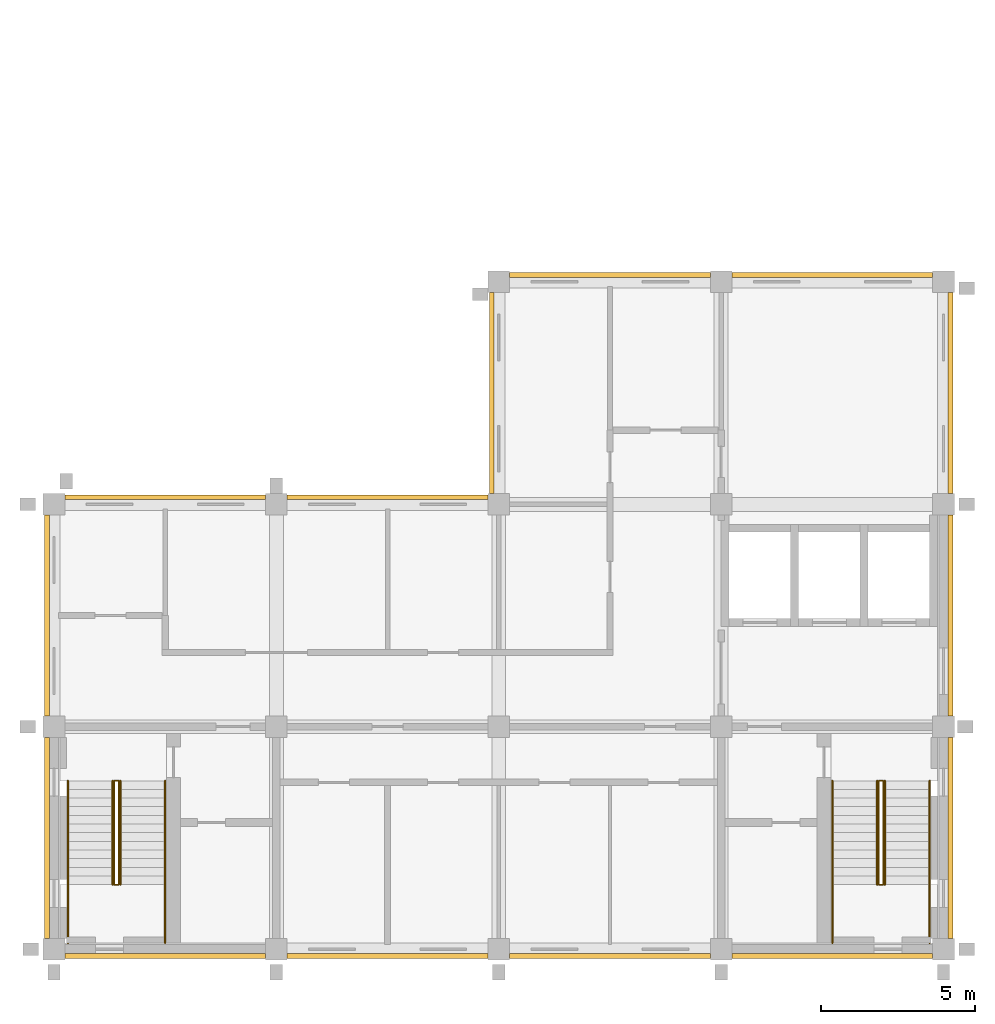
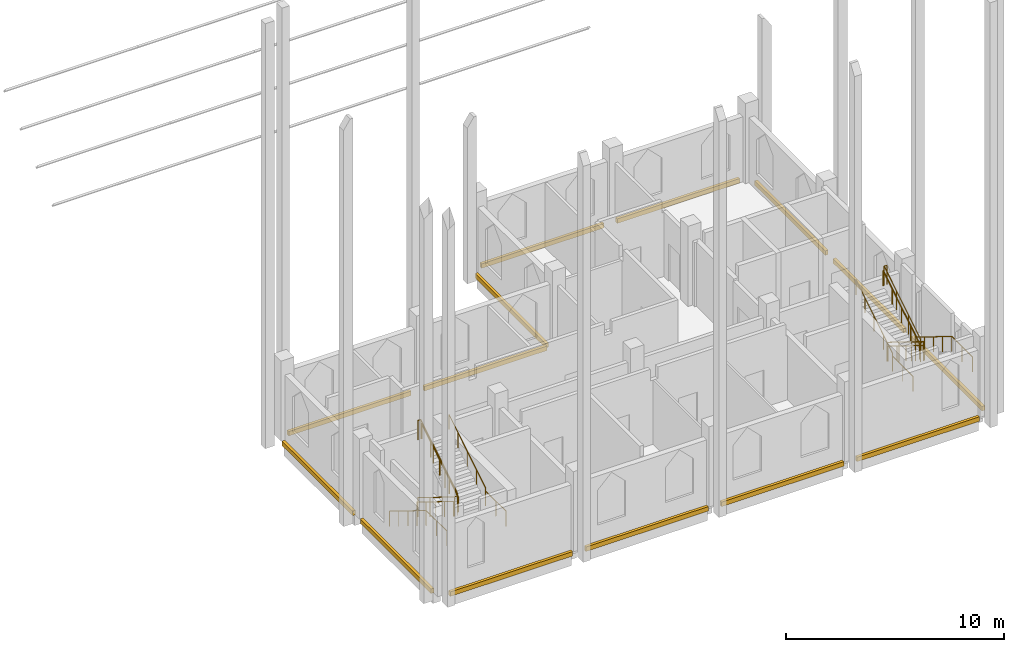
# One storey, part 7 of 7: 14 coverings, 10 railings.
"""IFC4 building model written with IfcOpenShell, lengths in metres."""

from ifc_helpers import new_model, si_unit, direction, frame, origin, origin_2d, place, context, subcontext, project, spatial, rectangle, circle, extrude, material, type_object, element, save


model = new_model("IFC4")

# Units and contexts
model_context = context("Model", 3, precision=1e-05, world=origin(), true_north=direction((0.0, 1.0)))
body_context = subcontext(model_context, "Body", "Model", "MODEL_VIEW")
ifc_project = project(units=[si_unit("LENGTHUNIT", "METRE"), si_unit("AREAUNIT", "SQUARE_METRE"), si_unit("VOLUMEUNIT", "CUBIC_METRE"), si_unit("PLANEANGLEUNIT", "RADIAN"), si_unit("MASSUNIT", "GRAM", prefix="KILO")], contexts=[model_context])

# Site, building, storey
site_placement = place(None, origin())
site = spatial("IfcSite", under=ifc_project, at=site_placement, CompositionType="ELEMENT")
building_placement = place(site_placement, origin())
building = spatial("IfcBuilding", under=site, at=building_placement, Name="Silangan Lancet Faculty of Sciences", CompositionType="ELEMENT")
storey_placement = place(building_placement, frame((0.0, 0.0, 58.800048828125)))
storey = spatial("IfcBuildingStorey", under=building, at=storey_placement, Name="L12", CompositionType="ELEMENT", Elevation=58.800048828125)

# Coverings
ifc_material_1 = material(Name="Concrete C40/50 precast", Category="concrete")
covering_type = type_object("IfcCoveringType", Name="SC1 Precast string course 250 x 150", PredefinedType="CLADDING", material=ifc_material_1)
for number, where, z_axis, x_axis, name in (
    (1, (29.02490234375, 3.60009765625, -0.25), (0.0, 0.0, 1.0), (1.0, 0.0, 0.0), "SC-L12-E-ST-00"),
    (2, (29.02490234375, 10.800048828125, -0.25), (0.0, 0.0, 1.0), (1.0, 0.0, 0.0), "SC-L12-E-ST-01"),
    (3, (29.02490234375, 18.0, -0.25), (0.0, 0.0, 1.0), (1.0, 0.0, 0.0), "SC-L12-E-ST-02"),
):
    element("IfcCovering", number, at=place(storey_placement, frame(where, z_axis=z_axis, x_axis=x_axis)), inside=storey, type_object=covering_type, Name=name, PredefinedType="CLADDING", context=body_context, shape_type="SweptSolid", body=[
        extrude(rectangle(XDim=0.14990234375, YDim=6.5, at=origin_2d()), origin(), (0.0, 0.0, 1.0), 0.25),
    ])
for number, where, z_axis, x_axis, name in (
    (4, (25.199951171875, 21.824951171875, -0.25), (0.0, 0.0, 1.0), (1.0, 0.0, 0.0), "SC-L12-N-ST-M-00"),
    (5, (18.0, 21.824951171875, -0.25), (0.0, 0.0, 1.0), (1.0, 0.0, 0.0), "SC-L12-N-ST-M-01"),
    (6, (10.800048828125, 14.625, -0.25), (0.0, 0.0, 1.0), (1.0, 0.0, 0.0), "SC-L12-N-ST-T-00"),
    (7, (3.60009765625, 14.625, -0.25), (0.0, 0.0, 1.0), (1.0, 0.0, 0.0), "SC-L12-N-ST-T-01"),
    (8, (3.60009765625, -0.22509765625, -0.25), (0.0, 0.0, 1.0), (1.0, 0.0, 0.0), "SC-L12-S-ST-00"),
    (9, (10.800048828125, -0.22509765625, -0.25), (0.0, 0.0, 1.0), (1.0, 0.0, 0.0), "SC-L12-S-ST-01"),
    (10, (18.0, -0.22509765625, -0.25), (0.0, 0.0, 1.0), (1.0, 0.0, 0.0), "SC-L12-S-ST-02"),
    (11, (25.199951171875, -0.22509765625, -0.25), (0.0, 0.0, 1.0), (1.0, 0.0, 0.0), "SC-L12-S-ST-03"),
):
    element("IfcCovering", number, at=place(storey_placement, frame(where, z_axis=z_axis, x_axis=x_axis)), inside=storey, type_object=covering_type, Name=name, PredefinedType="CLADDING", context=body_context, shape_type="SweptSolid", body=[
        extrude(rectangle(XDim=6.5, YDim=0.14990234375, at=origin_2d()), origin(), (0.0, 0.0, 1.0), 0.25),
    ])
for number, where, z_axis, x_axis, name in (
    (12, (14.175048828125, 18.0, -0.25), (0.0, 0.0, 1.0), (1.0, 0.0, 0.0), "SC-L12-W-ST-R-00"),
    (13, (-0.22509765625, 3.60009765625, -0.25), (0.0, 0.0, 1.0), (1.0, 0.0, 0.0), "SC-L12-W-ST-U-00"),
    (14, (-0.22509765625, 10.800048828125, -0.25), (0.0, 0.0, 1.0), (1.0, 0.0, 0.0), "SC-L12-W-ST-U-01"),
):
    element("IfcCovering", number, at=place(storey_placement, frame(where, z_axis=z_axis, x_axis=x_axis)), inside=storey, type_object=covering_type, Name=name, PredefinedType="CLADDING", context=body_context, shape_type="SweptSolid", body=[
        extrude(rectangle(XDim=0.14990234375, YDim=6.5, at=origin_2d()), origin(), (0.0, 0.0, 1.0), 0.25),
    ])

# Railings
ifc_material_2 = material(Name="Steel balustrade", Category="steel")
railing_type_1 = type_object("IfcRailingType", Name="STAIR GUARD 1100", PredefinedType="GUARDRAIL", material=ifc_material_2)
railing_1_placement = place(storey_placement, frame((1.949951171875, 5.449951171875, 0.173095703125)))
element("IfcRailing", 15, at=railing_1_placement, inside=storey, type_object=railing_type_1, Name="GUARD-ST-A-L12", PredefinedType="GUARDRAIL", context=body_context, shape_type="SweptSolid", body=[
    extrude(circle(Radius=0.02392578125, at=origin_2d()), frame((0.0, 0.0, 1.076171875), z_axis=(0.0, -0.850606129759, 0.525803396734), x_axis=(1.0, 0.0, 0.0)), (0.0, 0.0, 1.0), 3.949951171875),
    extrude(circle(Radius=0.02392578125, at=origin_2d()), frame((0.0, -3.35986328125, 3.15283203125), z_axis=(1.0, 0.0, 0.0), x_axis=(0.0, 1.0, 0.0)), (0.0, 0.0, 1.0), 0.150146484375),
    extrude(circle(Radius=0.02392578125, at=origin_2d()), frame((0.150146484375, -3.35986328125, 3.15283203125), z_axis=(0.0, 0.0, 1.0), x_axis=(1.0, 0.0, 0.0)), (0.0, 0.0, 1.0), 0.173095703125),
    extrude(circle(Radius=0.02392578125, at=origin_2d()), frame((0.150146484375, -3.35986328125, 3.326171875), z_axis=(0.0, 0.850606129759, 0.525803396734), x_axis=(-1.0, 0.0, 0.0)), (0.0, 0.0, 1.0), 3.949951171875),
    extrude(circle(Radius=0.02392578125, at=origin_2d()), frame((0.150146484375, 0.0, 5.40283203125), z_axis=(-1.0, 0.0, 0.0), x_axis=(0.0, -1.0, 0.0)), (0.0, 0.0, 1.0), 0.150146484375),
    extrude(circle(Radius=0.02099609375, at=origin_2d()), origin(), (0.0, 0.0, 1.0), 1.052001953125),
    extrude(circle(Radius=0.02099609375, at=origin_2d()), frame((0.0, -1.119873046875, 0.6923828125)), (0.0, 0.0, 1.0), 1.052001953125),
    extrude(circle(Radius=0.02099609375, at=origin_2d()), frame((0.0, -2.239990234375, 1.384521484375)), (0.0, 0.0, 1.0), 1.052001953125),
    extrude(circle(Radius=0.02099609375, at=origin_2d()), frame((0.0, -3.35986328125, 2.076904296875)), (0.0, 0.0, 1.0), 1.052001953125),
    extrude(circle(Radius=0.02099609375, at=origin_2d()), frame((0.150146484375, -3.35986328125, 2.076904296875)), (0.0, 0.0, 1.0), 1.052001953125),
    extrude(circle(Radius=0.02099609375, at=origin_2d()), frame((0.150146484375, -3.35986328125, 2.25)), (0.0, 0.0, 1.0), 1.052001953125),
    extrude(circle(Radius=0.02099609375, at=origin_2d()), frame((0.150146484375, -2.239990234375, 2.9423828125)), (0.0, 0.0, 1.0), 1.052001953125),
    extrude(circle(Radius=0.02099609375, at=origin_2d()), frame((0.150146484375, -1.119873046875, 3.634521484375)), (0.0, 0.0, 1.0), 1.052001953125),
    extrude(circle(Radius=0.02099609375, at=origin_2d()), frame((0.150146484375, 0.0, 4.326904296875)), (0.0, 0.0, 1.0), 1.052001953125),
    extrude(circle(Radius=0.02099609375, at=origin_2d()), frame((0.0, 0.0, 4.326904296875)), (0.0, 0.0, 1.0), 1.052001953125),
])
railing_2_placement = place(storey_placement, frame((26.85009765625, 5.449951171875, 0.173095703125)))
element("IfcRailing", 16, at=railing_2_placement, inside=storey, type_object=railing_type_1, Name="GUARD-ST-B-L12", PredefinedType="GUARDRAIL", context=body_context, shape_type="SweptSolid", body=[
    extrude(circle(Radius=0.02392578125, at=origin_2d()), frame((0.0, 0.0, 1.076171875), z_axis=(0.0, -0.850606129759, 0.525803396734), x_axis=(1.0, 0.0, 0.0)), (0.0, 0.0, 1.0), 3.949951171875),
    extrude(circle(Radius=0.02392578125, at=origin_2d()), frame((0.0, -3.35986328125, 3.15283203125), z_axis=(-1.0, 0.0, 0.0), x_axis=(0.0, -1.0, 0.0)), (0.0, 0.0, 1.0), 0.150146484375),
    extrude(circle(Radius=0.02392578125, at=origin_2d()), frame((-0.150146484375, -3.35986328125, 3.15283203125), z_axis=(0.0, 0.0, 1.0), x_axis=(1.0, 0.0, 0.0)), (0.0, 0.0, 1.0), 0.173095703125),
    extrude(circle(Radius=0.02392578125, at=origin_2d()), frame((-0.150146484375, -3.35986328125, 3.326171875), z_axis=(0.0, 0.850606129759, 0.525803396734), x_axis=(-1.0, 0.0, 0.0)), (0.0, 0.0, 1.0), 3.949951171875),
    extrude(circle(Radius=0.02392578125, at=origin_2d()), frame((-0.150146484375, 0.0, 5.40283203125), z_axis=(1.0, 0.0, 0.0), x_axis=(0.0, 1.0, 0.0)), (0.0, 0.0, 1.0), 0.150146484375),
    extrude(circle(Radius=0.02099609375, at=origin_2d()), origin(), (0.0, 0.0, 1.0), 1.052001953125),
    extrude(circle(Radius=0.02099609375, at=origin_2d()), frame((0.0, -1.119873046875, 0.6923828125)), (0.0, 0.0, 1.0), 1.052001953125),
    extrude(circle(Radius=0.02099609375, at=origin_2d()), frame((0.0, -2.239990234375, 1.384521484375)), (0.0, 0.0, 1.0), 1.052001953125),
    extrude(circle(Radius=0.02099609375, at=origin_2d()), frame((0.0, -3.35986328125, 2.076904296875)), (0.0, 0.0, 1.0), 1.052001953125),
    extrude(circle(Radius=0.02099609375, at=origin_2d()), frame((-0.150146484375, -3.35986328125, 2.076904296875)), (0.0, 0.0, 1.0), 1.052001953125),
    extrude(circle(Radius=0.02099609375, at=origin_2d()), frame((-0.150146484375, -3.35986328125, 2.25)), (0.0, 0.0, 1.0), 1.052001953125),
    extrude(circle(Radius=0.02099609375, at=origin_2d()), frame((-0.150146484375, -2.239990234375, 2.9423828125)), (0.0, 0.0, 1.0), 1.052001953125),
    extrude(circle(Radius=0.02099609375, at=origin_2d()), frame((-0.150146484375, -1.119873046875, 3.634521484375)), (0.0, 0.0, 1.0), 1.052001953125),
    extrude(circle(Radius=0.02099609375, at=origin_2d()), frame((-0.150146484375, 0.0, 4.326904296875)), (0.0, 0.0, 1.0), 1.052001953125),
    extrude(circle(Radius=0.02099609375, at=origin_2d()), frame((0.0, 0.0, 4.326904296875)), (0.0, 0.0, 1.0), 1.052001953125),
])
ifc_material_3 = material(Name="Stainless steel", Category="steel")
railing_type_2 = type_object("IfcRailingType", Name="STAIR HANDRAIL 865", PredefinedType="HANDRAIL", material=ifc_material_3)
railing_3_placement = place(storey_placement, frame((0.449951171875, 5.449951171875, 0.173095703125)))
element("IfcRailing", 17, at=railing_3_placement, inside=storey, type_object=railing_type_2, Name="HANDRAIL-ST-A-L12-O1", PredefinedType="HANDRAIL", context=body_context, shape_type="SweptSolid", body=[
    extrude(circle(Radius=0.02392578125, at=origin_2d()), frame((0.0, 0.0, 0.8408203125), z_axis=(0.0, -0.850654891397, 0.525724505556), x_axis=(1.0, 0.0, 0.0)), (0.0, 0.0, 1.0), 0.9873046875),
    extrude(circle(Radius=0.02392578125, at=origin_2d()), frame((0.0, -0.83984375, 1.35986328125), z_axis=(0.0, -0.85061266112, 0.525792830631), x_axis=(1.0, 0.0, 0.0)), (0.0, 0.0, 1.0), 0.987548828125),
    extrude(circle(Radius=0.02392578125, at=origin_2d()), frame((0.0, -1.679931640625, 1.87939453125), z_axis=(0.0, -0.85061266112, 0.525792830631), x_axis=(1.0, 0.0, 0.0)), (0.0, 0.0, 1.0), 0.987548828125),
    extrude(circle(Radius=0.02392578125, at=origin_2d()), frame((0.0, -2.52001953125, 2.3984375), z_axis=(0.0, -0.850544299321, 0.52590340833), x_axis=(1.0, 0.0, 0.0)), (0.0, 0.0, 1.0), 0.9873046875),
    extrude(circle(Radius=0.02392578125, at=origin_2d()), frame((0.0, -3.35986328125, 2.91796875), z_axis=(0.0, -1.0, 0.0), x_axis=(1.0, 0.0, 0.0)), (0.0, 0.0, 1.0), 1.89013671875),
    extrude(circle(Radius=0.02099609375, at=origin_2d()), origin(), (0.0, 0.0, 1.0), 0.81689453125),
    extrude(circle(Radius=0.02099609375, at=origin_2d()), frame((0.0, -0.83984375, 0.51904296875)), (0.0, 0.0, 1.0), 0.81689453125),
    extrude(circle(Radius=0.02099609375, at=origin_2d()), frame((0.0, -1.679931640625, 1.038330078125)), (0.0, 0.0, 1.0), 0.81689453125),
    extrude(circle(Radius=0.02099609375, at=origin_2d()), frame((0.0, -2.52001953125, 1.5576171875)), (0.0, 0.0, 1.0), 0.81689453125),
    extrude(circle(Radius=0.02099609375, at=origin_2d()), frame((0.0, -3.35986328125, 2.076904296875)), (0.0, 0.0, 1.0), 0.81689453125),
    extrude(circle(Radius=0.02099609375, at=origin_2d()), frame((0.0, -4.304931640625, 2.076904296875)), (0.0, 0.0, 1.0), 0.81689453125),
    extrude(circle(Radius=0.02099609375, at=origin_2d()), frame((0.0, -5.25, 2.076904296875)), (0.0, 0.0, 1.0), 0.81689453125),
])
railing_4_placement = place(storey_placement, frame((1.89990234375, 5.449951171875, 0.173095703125)))
element("IfcRailing", 18, at=railing_4_placement, inside=storey, type_object=railing_type_2, Name="HANDRAIL-ST-A-L12-I1", PredefinedType="HANDRAIL", context=body_context, shape_type="SweptSolid", body=[
    extrude(circle(Radius=0.02392578125, at=origin_2d()), frame((0.0, 0.0, 0.8408203125), z_axis=(0.0, -0.850654891397, 0.525724505556), x_axis=(1.0, 0.0, 0.0)), (0.0, 0.0, 1.0), 0.9873046875),
    extrude(circle(Radius=0.02392578125, at=origin_2d()), frame((0.0, -0.83984375, 1.35986328125), z_axis=(0.0, -0.85061266112, 0.525792830631), x_axis=(1.0, 0.0, 0.0)), (0.0, 0.0, 1.0), 0.987548828125),
    extrude(circle(Radius=0.02392578125, at=origin_2d()), frame((0.0, -1.679931640625, 1.87939453125), z_axis=(0.0, -0.85061266112, 0.525792830631), x_axis=(1.0, 0.0, 0.0)), (0.0, 0.0, 1.0), 0.987548828125),
    extrude(circle(Radius=0.02392578125, at=origin_2d()), frame((0.0, -2.52001953125, 2.3984375), z_axis=(0.0, -0.850544299321, 0.52590340833), x_axis=(1.0, 0.0, 0.0)), (0.0, 0.0, 1.0), 0.9873046875),
    extrude(circle(Radius=0.02099609375, at=origin_2d()), origin(), (0.0, 0.0, 1.0), 0.81689453125),
    extrude(circle(Radius=0.02099609375, at=origin_2d()), frame((0.0, -0.83984375, 0.51904296875)), (0.0, 0.0, 1.0), 0.81689453125),
    extrude(circle(Radius=0.02099609375, at=origin_2d()), frame((0.0, -1.679931640625, 1.038330078125)), (0.0, 0.0, 1.0), 0.81689453125),
    extrude(circle(Radius=0.02099609375, at=origin_2d()), frame((0.0, -2.52001953125, 1.5576171875)), (0.0, 0.0, 1.0), 0.81689453125),
    extrude(circle(Radius=0.02099609375, at=origin_2d()), frame((0.0, -3.35986328125, 2.076904296875)), (0.0, 0.0, 1.0), 0.81689453125),
])
railing_5_placement = place(storey_placement, frame((3.60009765625, 0.199951171875, 2.25)))
element("IfcRailing", 19, at=railing_5_placement, inside=storey, type_object=railing_type_2, Name="HANDRAIL-ST-A-L12-O2", PredefinedType="HANDRAIL", context=body_context, shape_type="SweptSolid", body=[
    extrude(circle(Radius=0.02392578125, at=origin_2d()), frame((0.0, 0.0, 0.8408203125), z_axis=(0.0, 1.0, 0.0), x_axis=(-1.0, 0.0, 0.0)), (0.0, 0.0, 1.0), 1.89013671875),
    extrude(circle(Radius=0.02392578125, at=origin_2d()), frame((0.0, 1.89013671875, 0.8408203125), z_axis=(0.0, 0.0, 1.0), x_axis=(1.0, 0.0, 0.0)), (0.0, 0.0, 1.0), 0.173095703125),
    extrude(circle(Radius=0.02392578125, at=origin_2d()), frame((0.0, 1.89013671875, 1.01416015625), z_axis=(0.0, 0.850654891397, 0.525724505556), x_axis=(-1.0, 0.0, 0.0)), (0.0, 0.0, 1.0), 0.9873046875),
    extrude(circle(Radius=0.02392578125, at=origin_2d()), frame((0.0, 2.72998046875, 1.533203125), z_axis=(0.0, 0.85061266112, 0.525792830631), x_axis=(-1.0, 0.0, 0.0)), (0.0, 0.0, 1.0), 0.987548828125),
    extrude(circle(Radius=0.02392578125, at=origin_2d()), frame((0.0, 3.570068359375, 2.05224609375), z_axis=(0.0, 0.85061266112, 0.525792830631), x_axis=(-1.0, 0.0, 0.0)), (0.0, 0.0, 1.0), 0.987548828125),
    extrude(circle(Radius=0.02392578125, at=origin_2d()), frame((0.0, 4.41015625, 2.57177734375), z_axis=(0.0, 0.850544299321, 0.52590340833), x_axis=(-1.0, 0.0, 0.0)), (0.0, 0.0, 1.0), 0.9873046875),
    extrude(circle(Radius=0.02099609375, at=origin_2d()), origin(), (0.0, 0.0, 1.0), 0.81689453125),
    extrude(circle(Radius=0.02099609375, at=origin_2d()), frame((0.0, 0.945068359375, 0.0)), (0.0, 0.0, 1.0), 0.81689453125),
    extrude(circle(Radius=0.02099609375, at=origin_2d()), frame((0.0, 1.89013671875, 0.0)), (0.0, 0.0, 1.0), 0.81689453125),
    extrude(circle(Radius=0.02099609375, at=origin_2d()), frame((0.0, 1.89013671875, 0.173095703125)), (0.0, 0.0, 1.0), 0.81689453125),
    extrude(circle(Radius=0.02099609375, at=origin_2d()), frame((0.0, 2.72998046875, 0.692138671875)), (0.0, 0.0, 1.0), 0.81689453125),
    extrude(circle(Radius=0.02099609375, at=origin_2d()), frame((0.0, 3.570068359375, 1.21142578125)), (0.0, 0.0, 1.0), 0.81689453125),
    extrude(circle(Radius=0.02099609375, at=origin_2d()), frame((0.0, 4.41015625, 1.730712890625)), (0.0, 0.0, 1.0), 0.81689453125),
    extrude(circle(Radius=0.02099609375, at=origin_2d()), frame((0.0, 5.25, 2.25)), (0.0, 0.0, 1.0), 0.81689453125),
])
railing_6_placement = place(storey_placement, frame((2.14990234375, 2.090087890625, 2.423095703125)))
element("IfcRailing", 20, at=railing_6_placement, inside=storey, type_object=railing_type_2, Name="HANDRAIL-ST-A-L12-I2", PredefinedType="HANDRAIL", context=body_context, shape_type="SweptSolid", body=[
    extrude(circle(Radius=0.02392578125, at=origin_2d()), frame((0.0, 0.0, 0.8408203125), z_axis=(0.0, 0.850654891397, 0.525724505556), x_axis=(-1.0, 0.0, 0.0)), (0.0, 0.0, 1.0), 0.9873046875),
    extrude(circle(Radius=0.02392578125, at=origin_2d()), frame((0.0, 0.83984375, 1.35986328125), z_axis=(0.0, 0.85061266112, 0.525792830631), x_axis=(-1.0, 0.0, 0.0)), (0.0, 0.0, 1.0), 0.987548828125),
    extrude(circle(Radius=0.02392578125, at=origin_2d()), frame((0.0, 1.679931640625, 1.87939453125), z_axis=(0.0, 0.85061266112, 0.525792830631), x_axis=(-1.0, 0.0, 0.0)), (0.0, 0.0, 1.0), 0.987548828125),
    extrude(circle(Radius=0.02392578125, at=origin_2d()), frame((0.0, 2.52001953125, 2.3984375), z_axis=(0.0, 0.850544299321, 0.52590340833), x_axis=(-1.0, 0.0, 0.0)), (0.0, 0.0, 1.0), 0.9873046875),
    extrude(circle(Radius=0.02099609375, at=origin_2d()), origin(), (0.0, 0.0, 1.0), 0.81689453125),
    extrude(circle(Radius=0.02099609375, at=origin_2d()), frame((0.0, 0.83984375, 0.51904296875)), (0.0, 0.0, 1.0), 0.81689453125),
    extrude(circle(Radius=0.02099609375, at=origin_2d()), frame((0.0, 1.679931640625, 1.038330078125)), (0.0, 0.0, 1.0), 0.81689453125),
    extrude(circle(Radius=0.02099609375, at=origin_2d()), frame((0.0, 2.52001953125, 1.5576171875)), (0.0, 0.0, 1.0), 0.81689453125),
    extrude(circle(Radius=0.02099609375, at=origin_2d()), frame((0.0, 3.35986328125, 2.076904296875)), (0.0, 0.0, 1.0), 0.81689453125),
])
railing_7_placement = place(storey_placement, frame((28.35009765625, 5.449951171875, 0.173095703125)))
element("IfcRailing", 21, at=railing_7_placement, inside=storey, type_object=railing_type_2, Name="HANDRAIL-ST-B-L12-O1", PredefinedType="HANDRAIL", context=body_context, shape_type="SweptSolid", body=[
    extrude(circle(Radius=0.02392578125, at=origin_2d()), frame((0.0, 0.0, 0.8408203125), z_axis=(0.0, -0.850654891397, 0.525724505556), x_axis=(1.0, 0.0, 0.0)), (0.0, 0.0, 1.0), 0.9873046875),
    extrude(circle(Radius=0.02392578125, at=origin_2d()), frame((0.0, -0.83984375, 1.35986328125), z_axis=(0.0, -0.85061266112, 0.525792830631), x_axis=(1.0, 0.0, 0.0)), (0.0, 0.0, 1.0), 0.987548828125),
    extrude(circle(Radius=0.02392578125, at=origin_2d()), frame((0.0, -1.679931640625, 1.87939453125), z_axis=(0.0, -0.85061266112, 0.525792830631), x_axis=(1.0, 0.0, 0.0)), (0.0, 0.0, 1.0), 0.987548828125),
    extrude(circle(Radius=0.02392578125, at=origin_2d()), frame((0.0, -2.52001953125, 2.3984375), z_axis=(0.0, -0.850544299321, 0.52590340833), x_axis=(1.0, 0.0, 0.0)), (0.0, 0.0, 1.0), 0.9873046875),
    extrude(circle(Radius=0.02392578125, at=origin_2d()), frame((0.0, -3.35986328125, 2.91796875), z_axis=(0.0, -1.0, 0.0), x_axis=(1.0, 0.0, 0.0)), (0.0, 0.0, 1.0), 1.89013671875),
    extrude(circle(Radius=0.02099609375, at=origin_2d()), origin(), (0.0, 0.0, 1.0), 0.81689453125),
    extrude(circle(Radius=0.02099609375, at=origin_2d()), frame((0.0, -0.83984375, 0.51904296875)), (0.0, 0.0, 1.0), 0.81689453125),
    extrude(circle(Radius=0.02099609375, at=origin_2d()), frame((0.0, -1.679931640625, 1.038330078125)), (0.0, 0.0, 1.0), 0.81689453125),
    extrude(circle(Radius=0.02099609375, at=origin_2d()), frame((0.0, -2.52001953125, 1.5576171875)), (0.0, 0.0, 1.0), 0.81689453125),
    extrude(circle(Radius=0.02099609375, at=origin_2d()), frame((0.0, -3.35986328125, 2.076904296875)), (0.0, 0.0, 1.0), 0.81689453125),
    extrude(circle(Radius=0.02099609375, at=origin_2d()), frame((0.0, -4.304931640625, 2.076904296875)), (0.0, 0.0, 1.0), 0.81689453125),
    extrude(circle(Radius=0.02099609375, at=origin_2d()), frame((0.0, -5.25, 2.076904296875)), (0.0, 0.0, 1.0), 0.81689453125),
])
railing_8_placement = place(storey_placement, frame((26.89990234375, 5.449951171875, 0.173095703125)))
element("IfcRailing", 22, at=railing_8_placement, inside=storey, type_object=railing_type_2, Name="HANDRAIL-ST-B-L12-I1", PredefinedType="HANDRAIL", context=body_context, shape_type="SweptSolid", body=[
    extrude(circle(Radius=0.02392578125, at=origin_2d()), frame((0.0, 0.0, 0.8408203125), z_axis=(0.0, -0.850654891397, 0.525724505556), x_axis=(1.0, 0.0, 0.0)), (0.0, 0.0, 1.0), 0.9873046875),
    extrude(circle(Radius=0.02392578125, at=origin_2d()), frame((0.0, -0.83984375, 1.35986328125), z_axis=(0.0, -0.85061266112, 0.525792830631), x_axis=(1.0, 0.0, 0.0)), (0.0, 0.0, 1.0), 0.987548828125),
    extrude(circle(Radius=0.02392578125, at=origin_2d()), frame((0.0, -1.679931640625, 1.87939453125), z_axis=(0.0, -0.85061266112, 0.525792830631), x_axis=(1.0, 0.0, 0.0)), (0.0, 0.0, 1.0), 0.987548828125),
    extrude(circle(Radius=0.02392578125, at=origin_2d()), frame((0.0, -2.52001953125, 2.3984375), z_axis=(0.0, -0.850544299321, 0.52590340833), x_axis=(1.0, 0.0, 0.0)), (0.0, 0.0, 1.0), 0.9873046875),
    extrude(circle(Radius=0.02099609375, at=origin_2d()), origin(), (0.0, 0.0, 1.0), 0.81689453125),
    extrude(circle(Radius=0.02099609375, at=origin_2d()), frame((0.0, -0.83984375, 0.51904296875)), (0.0, 0.0, 1.0), 0.81689453125),
    extrude(circle(Radius=0.02099609375, at=origin_2d()), frame((0.0, -1.679931640625, 1.038330078125)), (0.0, 0.0, 1.0), 0.81689453125),
    extrude(circle(Radius=0.02099609375, at=origin_2d()), frame((0.0, -2.52001953125, 1.5576171875)), (0.0, 0.0, 1.0), 0.81689453125),
    extrude(circle(Radius=0.02099609375, at=origin_2d()), frame((0.0, -3.35986328125, 2.076904296875)), (0.0, 0.0, 1.0), 0.81689453125),
])
railing_9_placement = place(storey_placement, frame((25.199951171875, 0.199951171875, 2.25)))
element("IfcRailing", 23, at=railing_9_placement, inside=storey, type_object=railing_type_2, Name="HANDRAIL-ST-B-L12-O2", PredefinedType="HANDRAIL", context=body_context, shape_type="SweptSolid", body=[
    extrude(circle(Radius=0.02392578125, at=origin_2d()), frame((0.0, 0.0, 0.8408203125), z_axis=(0.0, 1.0, 0.0), x_axis=(-1.0, 0.0, 0.0)), (0.0, 0.0, 1.0), 1.89013671875),
    extrude(circle(Radius=0.02392578125, at=origin_2d()), frame((0.0, 1.89013671875, 0.8408203125), z_axis=(0.0, 0.0, 1.0), x_axis=(1.0, 0.0, 0.0)), (0.0, 0.0, 1.0), 0.173095703125),
    extrude(circle(Radius=0.02392578125, at=origin_2d()), frame((0.0, 1.89013671875, 1.01416015625), z_axis=(0.0, 0.850654891397, 0.525724505556), x_axis=(-1.0, 0.0, 0.0)), (0.0, 0.0, 1.0), 0.9873046875),
    extrude(circle(Radius=0.02392578125, at=origin_2d()), frame((0.0, 2.72998046875, 1.533203125), z_axis=(0.0, 0.85061266112, 0.525792830631), x_axis=(-1.0, 0.0, 0.0)), (0.0, 0.0, 1.0), 0.987548828125),
    extrude(circle(Radius=0.02392578125, at=origin_2d()), frame((0.0, 3.570068359375, 2.05224609375), z_axis=(0.0, 0.85061266112, 0.525792830631), x_axis=(-1.0, 0.0, 0.0)), (0.0, 0.0, 1.0), 0.987548828125),
    extrude(circle(Radius=0.02392578125, at=origin_2d()), frame((0.0, 4.41015625, 2.57177734375), z_axis=(0.0, 0.850544299321, 0.52590340833), x_axis=(-1.0, 0.0, 0.0)), (0.0, 0.0, 1.0), 0.9873046875),
    extrude(circle(Radius=0.02099609375, at=origin_2d()), origin(), (0.0, 0.0, 1.0), 0.81689453125),
    extrude(circle(Radius=0.02099609375, at=origin_2d()), frame((0.0, 0.945068359375, 0.0)), (0.0, 0.0, 1.0), 0.81689453125),
    extrude(circle(Radius=0.02099609375, at=origin_2d()), frame((0.0, 1.89013671875, 0.0)), (0.0, 0.0, 1.0), 0.81689453125),
    extrude(circle(Radius=0.02099609375, at=origin_2d()), frame((0.0, 1.89013671875, 0.173095703125)), (0.0, 0.0, 1.0), 0.81689453125),
    extrude(circle(Radius=0.02099609375, at=origin_2d()), frame((0.0, 2.72998046875, 0.692138671875)), (0.0, 0.0, 1.0), 0.81689453125),
    extrude(circle(Radius=0.02099609375, at=origin_2d()), frame((0.0, 3.570068359375, 1.21142578125)), (0.0, 0.0, 1.0), 0.81689453125),
    extrude(circle(Radius=0.02099609375, at=origin_2d()), frame((0.0, 4.41015625, 1.730712890625)), (0.0, 0.0, 1.0), 0.81689453125),
    extrude(circle(Radius=0.02099609375, at=origin_2d()), frame((0.0, 5.25, 2.25)), (0.0, 0.0, 1.0), 0.81689453125),
])
railing_10_placement = place(storey_placement, frame((26.64990234375, 2.090087890625, 2.423095703125)))
element("IfcRailing", 24, at=railing_10_placement, inside=storey, type_object=railing_type_2, Name="HANDRAIL-ST-B-L12-I2", PredefinedType="HANDRAIL", context=body_context, shape_type="SweptSolid", body=[
    extrude(circle(Radius=0.02392578125, at=origin_2d()), frame((0.0, 0.0, 0.8408203125), z_axis=(0.0, 0.850654891397, 0.525724505556), x_axis=(-1.0, 0.0, 0.0)), (0.0, 0.0, 1.0), 0.9873046875),
    extrude(circle(Radius=0.02392578125, at=origin_2d()), frame((0.0, 0.83984375, 1.35986328125), z_axis=(0.0, 0.85061266112, 0.525792830631), x_axis=(-1.0, 0.0, 0.0)), (0.0, 0.0, 1.0), 0.987548828125),
    extrude(circle(Radius=0.02392578125, at=origin_2d()), frame((0.0, 1.679931640625, 1.87939453125), z_axis=(0.0, 0.85061266112, 0.525792830631), x_axis=(-1.0, 0.0, 0.0)), (0.0, 0.0, 1.0), 0.987548828125),
    extrude(circle(Radius=0.02392578125, at=origin_2d()), frame((0.0, 2.52001953125, 2.3984375), z_axis=(0.0, 0.850544299321, 0.52590340833), x_axis=(-1.0, 0.0, 0.0)), (0.0, 0.0, 1.0), 0.9873046875),
    extrude(circle(Radius=0.02099609375, at=origin_2d()), origin(), (0.0, 0.0, 1.0), 0.81689453125),
    extrude(circle(Radius=0.02099609375, at=origin_2d()), frame((0.0, 0.83984375, 0.51904296875)), (0.0, 0.0, 1.0), 0.81689453125),
    extrude(circle(Radius=0.02099609375, at=origin_2d()), frame((0.0, 1.679931640625, 1.038330078125)), (0.0, 0.0, 1.0), 0.81689453125),
    extrude(circle(Radius=0.02099609375, at=origin_2d()), frame((0.0, 2.52001953125, 1.5576171875)), (0.0, 0.0, 1.0), 0.81689453125),
    extrude(circle(Radius=0.02099609375, at=origin_2d()), frame((0.0, 3.35986328125, 2.076904296875)), (0.0, 0.0, 1.0), 0.81689453125),
])

save(model, "model.ifc")
